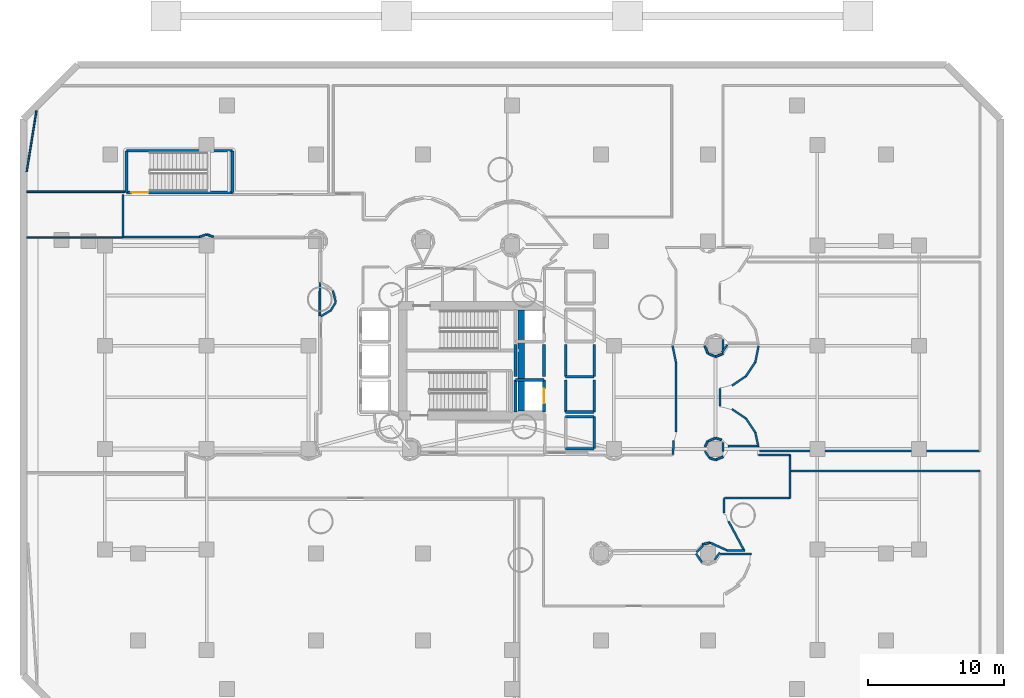
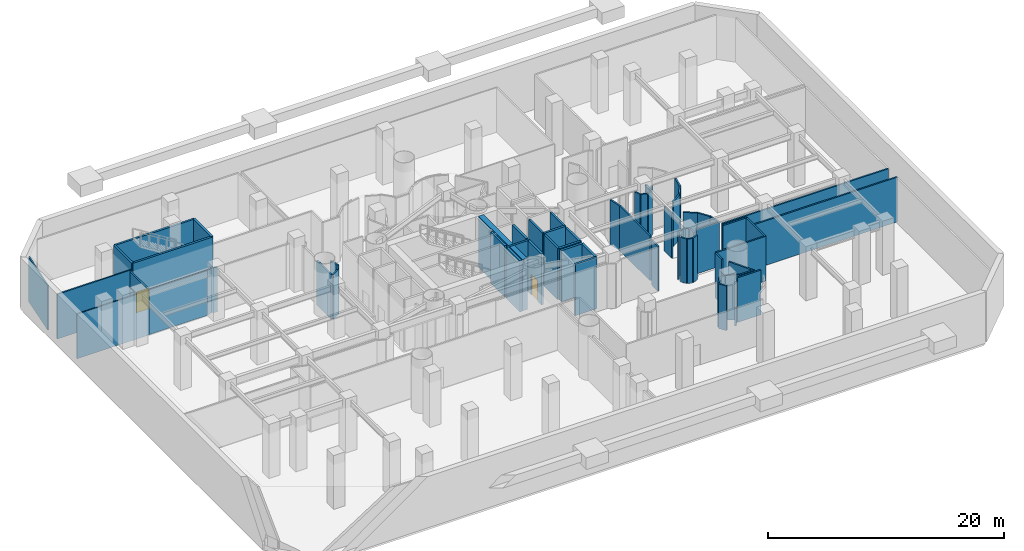
# One storey, part 4 of 11: 67 walls, 2 doors, 2 openings.
"""IFC4 building model written with IfcOpenShell, lengths in metres."""

from ifc_helpers import new_model, si_unit, direction, frame, frame_2d, origin, place, context, subcontext, project, spatial, rectangle, extrude, material, layer, layer_set, type_object, element, fill, save


model = new_model("IFC4")

# Units and contexts
model_context = context("Model", 3, precision=1e-05, world=origin(), true_north=direction((0.0, 1.0)))
body_context = subcontext(model_context, "Body", "Model", "MODEL_VIEW")
ifc_project = project(units=[si_unit("LENGTHUNIT", "METRE"), si_unit("AREAUNIT", "SQUARE_METRE"), si_unit("VOLUMEUNIT", "CUBIC_METRE"), si_unit("PLANEANGLEUNIT", "RADIAN"), si_unit("MASSUNIT", "GRAM", prefix="KILO")], contexts=[model_context])

# Site, building, storey
site_placement = place(None, origin())
site = spatial("IfcSite", under=ifc_project, at=site_placement, CompositionType="ELEMENT")
building_placement = place(site_placement, origin())
building = spatial("IfcBuilding", under=site, at=building_placement, Name="Qianvela Tower", CompositionType="ELEMENT")
storey_placement = place(building_placement, frame((0.0, 0.0, -5.60009765625)))
storey = spatial("IfcBuildingStorey", under=building, at=storey_placement, Name="B01", CompositionType="ELEMENT", Elevation=-5.60009765625)

# Walls
ifc_material_1 = material(Name="Concrete C60", Category="concrete")
ifc_layer_1 = layer(ifc_material_1, 0.64990234375)
ifc_layer_set_1 = layer_set([ifc_layer_1], Name="Concrete C60")
wall_type_1 = type_object("IfcWallType", Name="WT-CORE-650", PredefinedType="SHEAR", material=ifc_layer_set_1)
wall_1_placement = place(storey_placement, frame((38.179931640625, 24.97998046875, 0.0), z_axis=(0.0, 0.0, 1.0), x_axis=(0.0, 1.0, 0.0)))
element("IfcWall", 1, at=wall_1_placement, inside=storey, type_object=wall_type_1, Name="B01 East Spine Core Shear Wall", PredefinedType="SHEAR", context=body_context, shape_type="SweptSolid", body=[
    extrude(rectangle(XDim=7.43994140625, YDim=0.5, at=frame_2d((3.719970703125, 0.0))), origin(), (0.0, 0.0, 1.0), 5.300048828125),
])
ifc_material_2 = material(Name="Fire-Rated Acoustic Gypsum Board")
ifc_layer_2 = layer(ifc_material_2, 0.14990234375)
ifc_layer_set_2 = layer_set([ifc_layer_2], Name="Fire-Rated Acoustic Gypsum Board")
wall_type_2 = type_object("IfcWallType", Name="WT-CORR-150", PredefinedType="PARTITIONING", material=ifc_layer_set_2)
wall_2_placement = place(storey_placement, frame((8.8310546875, 37.800048828125, 0.0), z_axis=(0.0, 0.0, 1.0), x_axis=(0.0, 1.0, 0.0)))
element("IfcWall", 2, at=wall_2_placement, inside=storey, type_object=wall_type_2, Name="B01 Partition 36", PredefinedType="PARTITIONING", context=body_context, shape_type="SweptSolid", body=[
    extrude(rectangle(XDim=3.159912109375, YDim=0.14990234375, at=frame_2d((1.580078125, 0.0))), origin(), (0.0, 0.0, 1.0), 4.6201171875),
])
wall_3_placement = place(storey_placement, frame((49.372314453125, 21.779296875, 0.0), z_axis=(0.0, 0.0, 1.0), x_axis=(0.019397938969, 0.99981184228, 0.0)))
element("IfcWall", 3, at=wall_3_placement, inside=storey, type_object=wall_type_2, Name="B01 Partition 92", PredefinedType="PARTITIONING", context=body_context, shape_type="SweptSolid", body=[
    extrude(rectangle(XDim=1.044677734375, YDim=0.14990234375, at=frame_2d((0.5224609375, 0.0))), origin(), (0.0, 0.0, 1.0), 4.6201171875),
])
wall_4_placement = place(storey_placement, frame((49.5810546875, 23.4365234375, 0.0), z_axis=(0.0, 0.0, 1.0), x_axis=(0.0, 1.0, 0.0)))
element("IfcWall", 4, at=wall_4_placement, inside=storey, type_object=wall_type_2, Name="B01 Partition 93", PredefinedType="PARTITIONING", context=body_context, shape_type="SweptSolid", body=[
    extrude(rectangle(XDim=5.126953125, YDim=0.14990234375, at=frame_2d((2.5634765625, 0.0))), origin(), (0.0, 0.0, 1.0), 4.6201171875),
])
wall_5_placement = place(storey_placement, frame((49.580322265625, 28.569580078125, 0.0), z_axis=(0.0, 0.0, 1.0), x_axis=(-0.198162533944, 0.980169174245, 0.0)))
element("IfcWall", 5, at=wall_5_placement, inside=storey, type_object=wall_type_2, Name="B01 Partition 94", PredefinedType="PARTITIONING", context=body_context, shape_type="SweptSolid", body=[
    extrude(rectangle(XDim=1.261474609375, YDim=0.14990234375, at=frame_2d((0.630859375, 0.0))), origin(), (0.0, 0.0, 1.0), 4.6201171875),
])
wall_6_placement = place(storey_placement, frame((51.701416015625, 29.7880859375, 0.0), z_axis=(0.0, 0.0, 1.0), x_axis=(0.382790839847, -0.923835035561, 0.0)))
element("IfcWall", 6, at=wall_6_placement, inside=storey, type_object=wall_type_2, Name="B01 Partition 115", PredefinedType="PARTITIONING", context=body_context, shape_type="SweptSolid", body=[
    extrude(rectangle(XDim=0.58935546875, YDim=0.14990234375, at=frame_2d((0.294677734375, 0.0))), origin(), (0.0, 0.0, 1.0), 4.6201171875),
])
for number, where, z_axis, x_axis, name in (
    (7, (51.943603515625, 29.226806640625, 0.0), (0.0, 0.0, 1.0), (0.923981493772, -0.382437183296, 0.0), "B01 Partition 116"),
    (8, (52.511962890625, 29.00146484375, 0.0), (0.0, 0.0, 1.0), (0.923981493772, 0.382437183296, 0.0), "B01 Partition 117"),
):
    element("IfcWall", number, at=place(storey_placement, frame(where, z_axis=z_axis, x_axis=x_axis)), inside=storey, type_object=wall_type_2, Name=name, PredefinedType="PARTITIONING", context=body_context, shape_type="SweptSolid", body=[
        extrude(rectangle(XDim=0.589111328125, YDim=0.14990234375, at=frame_2d((0.29443359375, 0.0))), origin(), (0.0, 0.0, 1.0), 4.6201171875),
    ])
wall_7_placement = place(storey_placement, frame((55.6689453125, 29.79931640625, 0.0), z_axis=(0.0, 0.0, 1.0), x_axis=(-0.195624591427, -0.980678856318, 0.0)))
element("IfcWall", 9, at=wall_7_placement, inside=storey, type_object=wall_type_2, Name="B01 Partition 119", PredefinedType="PARTITIONING", context=body_context, shape_type="SweptSolid", body=[
    extrude(rectangle(XDim=1.24169921875, YDim=0.14990234375, at=frame_2d((0.620849609375, 0.0))), origin(), (0.0, 0.0, 1.0), 4.6201171875),
])
for number, where, z_axis, x_axis, name in (
    (10, (55.4306640625, 28.592529296875, 0.0), (0.0, 0.0, 1.0), (-0.555557312883, -0.831478245117, 0.0), "B01 Partition 120"),
    (11, (54.74560546875, 27.56298828125, 0.0), (0.0, 0.0, 1.0), (-0.831478245117, -0.555557312883, 0.0), "B01 Partition 121"),
):
    element("IfcWall", number, at=place(storey_placement, frame(where, z_axis=z_axis, x_axis=x_axis)), inside=storey, type_object=wall_type_2, Name=name, PredefinedType="PARTITIONING", context=body_context, shape_type="SweptSolid", body=[
        extrude(rectangle(XDim=1.24853515625, YDim=0.14990234375, at=frame_2d((0.624267578125, 0.0))), origin(), (0.0, 0.0, 1.0), 4.6201171875),
    ])
wall_8_placement = place(storey_placement, frame((52.819091796875, 26.634521484375, 0.0), z_axis=(0.0, 0.0, 1.0), x_axis=(0.0, -1.0, 0.0)))
element("IfcWall", 12, at=wall_8_placement, inside=storey, type_object=wall_type_2, Name="B01 Partition 123", PredefinedType="PARTITIONING", context=body_context, shape_type="SweptSolid", body=[
    extrude(rectangle(XDim=1.26904296875, YDim=0.14990234375, at=frame_2d((0.634521484375, 0.0))), origin(), (0.0, 0.0, 1.0), 4.6201171875),
])
for number, where, z_axis, x_axis, name in (
    (13, (53.70751953125, 25.130615234375, 0.0), (0.0, 0.0, 1.0), (0.831478245117, -0.555557312883, 0.0), "B01 Partition 125"),
    (14, (54.737060546875, 24.445556640625, 0.0), (0.0, 0.0, 1.0), (0.555557312883, -0.831478245117, 0.0), "B01 Partition 126"),
):
    element("IfcWall", number, at=place(storey_placement, frame(where, z_axis=z_axis, x_axis=x_axis)), inside=storey, type_object=wall_type_2, Name=name, PredefinedType="PARTITIONING", context=body_context, shape_type="SweptSolid", body=[
        extrude(rectangle(XDim=1.24853515625, YDim=0.14990234375, at=frame_2d((0.624267578125, 0.0))), origin(), (0.0, 0.0, 1.0), 4.6201171875),
    ])
wall_9_placement = place(storey_placement, frame((55.426025390625, 23.418212890625, 0.0), z_axis=(0.0, 0.0, 1.0), x_axis=(0.210582766426, -0.977576032073, 0.0)))
element("IfcWall", 15, at=wall_9_placement, inside=storey, type_object=wall_type_2, Name="B01 Partition 127", PredefinedType="PARTITIONING", context=body_context, shape_type="SweptSolid", body=[
    extrude(rectangle(XDim=1.075927734375, YDim=0.14990234375, at=frame_2d((0.5380859375, 0.0))), origin(), (0.0, 0.0, 1.0), 4.6201171875),
])
wall_10_placement = place(storey_placement, frame((55.682861328125, 22.404052734375, 0.0), z_axis=(0.0, 0.0, 1.0), x_axis=(-0.999996973182, -0.002460411894, 0.0)))
element("IfcWall", 16, at=wall_10_placement, inside=storey, type_object=wall_type_2, Name="B01 Partition 128", PredefinedType="PARTITIONING", context=body_context, shape_type="SweptSolid", body=[
    extrude(rectangle(XDim=2.2822265625, YDim=0.14990234375, at=frame_2d((1.14111328125, 0.0))), origin(), (0.0, 0.0, 1.0), 4.6201171875),
])
wall_11_placement = place(storey_placement, frame((52.936767578125, 22.869873046875, 0.0), z_axis=(0.0, 0.0, 1.0), x_axis=(-0.956858887343, 0.290553041134, 0.0)))
element("IfcWall", 17, at=wall_11_placement, inside=storey, type_object=wall_type_2, Name="B01 Partition 129", PredefinedType="PARTITIONING", context=body_context, shape_type="SweptSolid", body=[
    extrude(rectangle(XDim=0.447021484375, YDim=0.14990234375, at=frame_2d((0.2236328125, 0.0))), origin(), (0.0, 0.0, 1.0), 4.6201171875),
])
wall_12_placement = place(storey_placement, frame((52.488037109375, 22.99853515625, 0.0), z_axis=(0.0, 0.0, 1.0), x_axis=(-0.923981493772, -0.382437183296, 0.0)))
element("IfcWall", 18, at=wall_12_placement, inside=storey, type_object=wall_type_2, Name="B01 Partition 130", PredefinedType="PARTITIONING", context=body_context, shape_type="SweptSolid", body=[
    extrude(rectangle(XDim=0.589111328125, YDim=0.14990234375, at=frame_2d((0.29443359375, 0.0))), origin(), (0.0, 0.0, 1.0), 4.6201171875),
])
wall_13_placement = place(storey_placement, frame((51.92822265625, 22.759033203125, 0.0), z_axis=(0.0, 0.0, 1.0), x_axis=(-0.471296709458, -0.881974722798, 0.0)))
element("IfcWall", 19, at=wall_13_placement, inside=storey, type_object=wall_type_2, Name="B01 Partition 131", PredefinedType="PARTITIONING", context=body_context, shape_type="SweptSolid", body=[
    extrude(rectangle(XDim=0.447021484375, YDim=0.14990234375, at=frame_2d((0.2236328125, 0.0))), origin(), (0.0, 0.0, 1.0), 4.6201171875),
])
wall_14_placement = place(storey_placement, frame((51.718994140625, 22.03271484375, 0.0), z_axis=(0.0, 0.0, 1.0), x_axis=(0.555369021078, -0.831604022613, 0.0)))
element("IfcWall", 20, at=wall_14_placement, inside=storey, type_object=wall_type_2, Name="B01 Partition 132", PredefinedType="PARTITIONING", context=body_context, shape_type="SweptSolid", body=[
    extrude(rectangle(XDim=0.589599609375, YDim=0.14990234375, at=frame_2d((0.294921875, 0.0))), origin(), (0.0, 0.0, 1.0), 4.6201171875),
])
wall_15_placement = place(storey_placement, frame((52.063232421875, 21.530029296875, 0.0), z_axis=(0.0, 0.0, 1.0), x_axis=(0.957010621041, -0.290052876583, 0.0)))
element("IfcWall", 21, at=wall_15_placement, inside=storey, type_object=wall_type_2, Name="B01 Partition 133", PredefinedType="PARTITIONING", context=body_context, shape_type="SweptSolid", body=[
    extrude(rectangle(XDim=0.447021484375, YDim=0.14990234375, at=frame_2d((0.2236328125, 0.0))), origin(), (0.0, 0.0, 1.0), 4.6201171875),
])
wall_16_placement = place(storey_placement, frame((52.511962890625, 21.4013671875, 0.0), z_axis=(0.0, 0.0, 1.0), x_axis=(0.923835035561, 0.382790839847, 0.0)))
element("IfcWall", 22, at=wall_16_placement, inside=storey, type_object=wall_type_2, Name="B01 Partition 134", PredefinedType="PARTITIONING", context=body_context, shape_type="SweptSolid", body=[
    extrude(rectangle(XDim=0.58935546875, YDim=0.14990234375, at=frame_2d((0.294677734375, 0.0))), origin(), (0.0, 0.0, 1.0), 4.6201171875),
])
wall_17_placement = place(storey_placement, frame((55.65869140625, 21.7490234375, 0.0), z_axis=(0.0, 0.0, 1.0), x_axis=(1.0, 0.0, 0.0)))
element("IfcWall", 23, at=wall_17_placement, inside=storey, type_object=wall_type_2, Name="B01 Partition 136", PredefinedType="PARTITIONING", context=body_context, shape_type="SweptSolid", body=[
    extrude(rectangle(XDim=2.34130859375, YDim=0.14990234375, at=frame_2d((1.170654296875, 0.0))), origin(), (0.0, 0.0, 1.0), 4.6201171875),
])
wall_18_placement = place(storey_placement, frame((57.968994140625, 21.780029296875, 0.0), z_axis=(0.0, 0.0, 1.0), x_axis=(0.0, -1.0, 0.0)))
element("IfcWall", 24, at=wall_18_placement, inside=storey, type_object=wall_type_2, Name="B01 Partition 137", PredefinedType="PARTITIONING", context=body_context, shape_type="SweptSolid", body=[
    extrude(rectangle(XDim=3.22998046875, YDim=0.14990234375, at=frame_2d((1.614990234375, 0.0))), origin(), (0.0, 0.0, 1.0), 4.6201171875),
])
wall_19_placement = place(storey_placement, frame((58.0, 18.5810546875, 0.0), z_axis=(0.0, 0.0, 1.0), x_axis=(-1.0, 0.0, 0.0)))
element("IfcWall", 25, at=wall_19_placement, inside=storey, type_object=wall_type_2, Name="B01 Partition 138", PredefinedType="PARTITIONING", context=body_context, shape_type="SweptSolid", body=[
    extrude(rectangle(XDim=4.85009765625, YDim=0.14990234375, at=frame_2d((2.425048828125, 0.0))), origin(), (0.0, 0.0, 1.0), 4.6201171875),
])
wall_20_placement = place(storey_placement, frame((53.118896484375, 18.550048828125, 0.0), z_axis=(0.0, 0.0, 1.0), x_axis=(0.0, -1.0, 0.0)))
element("IfcWall", 26, at=wall_20_placement, inside=storey, type_object=wall_type_2, Name="B01 Partition 139", PredefinedType="PARTITIONING", context=body_context, shape_type="SweptSolid", body=[
    extrude(rectangle(XDim=1.08447265625, YDim=0.14990234375, at=frame_2d((0.542236328125, 0.0))), origin(), (0.0, 0.0, 1.0), 4.6201171875),
])
wall_21_placement = place(storey_placement, frame((53.449951171875, 16.873779296875, 0.0), z_axis=(0.0, 0.0, 1.0), x_axis=(0.471411414428, -0.881913418849, 0.0)))
element("IfcWall", 27, at=wall_21_placement, inside=storey, type_object=wall_type_2, Name="B01 Partition 140", PredefinedType="PARTITIONING", context=body_context, shape_type="SweptSolid", body=[
    extrude(rectangle(XDim=2.4931640625, YDim=0.14990234375, at=frame_2d((1.24658203125, 0.0))), origin(), (0.0, 0.0, 1.0), 4.6201171875),
])
wall_22_placement = place(storey_placement, frame((54.65234375, 14.720703125, 0.0), z_axis=(0.0, 0.0, 1.0), x_axis=(-0.999996515178, -0.002640005886, 0.0)))
element("IfcWall", 28, at=wall_22_placement, inside=storey, type_object=wall_type_2, Name="B01 Partition 141", PredefinedType="PARTITIONING", context=body_context, shape_type="SweptSolid", body=[
    extrude(rectangle(XDim=1.294677734375, YDim=0.14990234375, at=frame_2d((0.6474609375, 0.0))), origin(), (0.0, 0.0, 1.0), 4.6201171875),
])
wall_23_placement = place(storey_placement, frame((53.37060546875, 14.714599609375, 0.0), z_axis=(0.0, 0.0, 1.0), x_axis=(-0.910457642889, 0.413602321687, 0.0)))
element("IfcWall", 29, at=wall_23_placement, inside=storey, type_object=wall_type_2, Name="B01 Partition 142", PredefinedType="PARTITIONING", context=body_context, shape_type="SweptSolid", body=[
    extrude(rectangle(XDim=1.375244140625, YDim=0.14990234375, at=frame_2d((0.6875, 0.0))), origin(), (0.0, 0.0, 1.0), 4.6201171875),
])
wall_24_placement = place(storey_placement, frame((52.099609375, 15.28564453125, 0.0), z_axis=(0.0, 0.0, 1.0), x_axis=(-0.980787220882, -0.195080566316, 0.0)))
element("IfcWall", 30, at=wall_24_placement, inside=storey, type_object=wall_type_2, Name="B01 Partition 143", PredefinedType="PARTITIONING", context=body_context, shape_type="SweptSolid", body=[
    extrude(rectangle(XDim=0.58935546875, YDim=0.14990234375, at=frame_2d((0.294677734375, 0.0))), origin(), (0.0, 0.0, 1.0), 4.6201171875),
])
wall_25_placement = place(storey_placement, frame((51.060546875, 14.483154296875, 0.0), z_axis=(0.0, 0.0, 1.0), x_axis=(0.567447045637, -0.823409892094, 0.0)))
element("IfcWall", 31, at=wall_25_placement, inside=storey, type_object=wall_type_2, Name="B01 Partition 153", PredefinedType="PARTITIONING", context=body_context, shape_type="SweptSolid", body=[
    extrude(rectangle(XDim=0.7783203125, YDim=0.14990234375, at=frame_2d((0.38916015625, 0.0))), origin(), (0.0, 0.0, 1.0), 4.6201171875),
])
wall_26_placement = place(storey_placement, frame((52.855224609375, 14.456298828125, 0.0), z_axis=(0.0, 0.0, 1.0), x_axis=(0.999996753759, 0.002548032922, 0.0)))
element("IfcWall", 32, at=wall_26_placement, inside=storey, type_object=wall_type_2, Name="B01 Partition 156 seg 1", PredefinedType="PARTITIONING", context=body_context, shape_type="SweptSolid", body=[
    extrude(rectangle(XDim=2.299560546875, YDim=0.14990234375, at=frame_2d((1.14990234375, 0.0))), origin(), (0.0, 0.0, 1.0), 4.6201171875),
])
wall_27_placement = place(storey_placement, frame((23.416015625, 31.970703125, 0.0), z_axis=(0.0, 0.0, 1.0), x_axis=(0.857113289669, 0.51512795369, 0.0)))
element("IfcWall", 33, at=wall_27_placement, inside=storey, type_object=wall_type_2, Name="B01 Partition 173", PredefinedType="PARTITIONING", context=body_context, shape_type="SweptSolid", body=[
    extrude(rectangle(XDim=0.8515625, YDim=0.14990234375, at=frame_2d((0.42578125, 0.0))), origin(), (0.0, 0.0, 1.0), 4.6201171875),
])
wall_28_placement = place(storey_placement, frame((24.15625, 32.419677734375, 0.0), z_axis=(0.0, 0.0, 1.0), x_axis=(0.527189094598, 0.849747997077, 0.0)))
element("IfcWall", 34, at=wall_28_placement, inside=storey, type_object=wall_type_2, Name="B01 Partition 174", PredefinedType="PARTITIONING", context=body_context, shape_type="SweptSolid", body=[
    extrude(rectangle(XDim=0.66455078125, YDim=0.14990234375, at=frame_2d((0.332275390625, 0.0))), origin(), (0.0, 0.0, 1.0), 4.6201171875),
])
wall_29_placement = place(storey_placement, frame((24.510498046875, 33.00830078125, 0.0), z_axis=(0.0, 0.0, 1.0), x_axis=(-0.241288371534, 0.970453461925, 0.0)))
element("IfcWall", 35, at=wall_29_placement, inside=storey, type_object=wall_type_2, Name="B01 Partition 175", PredefinedType="PARTITIONING", context=body_context, shape_type="SweptSolid", body=[
    extrude(rectangle(XDim=0.875244140625, YDim=0.14990234375, at=frame_2d((0.4375, 0.0))), origin(), (0.0, 0.0, 1.0), 4.6201171875),
])
for number, where, z_axis, x_axis, name in (
    (36, (15.512939453125, 37.829345703125, 0.0), (0.0, 0.0, 1.0), (-0.947248188963, 0.320500964906, 0.0), "B01 Partition 183"),
    (37, (14.989990234375, 37.99951171875, 0.0), (0.0, 0.0, 1.0), (-0.947248188963, -0.320500964906, 0.0), "B01 Partition 184"),
):
    element("IfcWall", number, at=place(storey_placement, frame(where, z_axis=z_axis, x_axis=x_axis)), inside=storey, type_object=wall_type_2, Name=name, PredefinedType="PARTITIONING", context=body_context, shape_type="SweptSolid", body=[
        extrude(rectangle(XDim=0.531005859375, YDim=0.14990234375, at=frame_2d((0.265625, 0.0))), origin(), (0.0, 0.0, 1.0), 4.6201171875),
    ])
wall_30_placement = place(storey_placement, frame((14.496826171875, 37.8310546875, 0.0), z_axis=(0.0, 0.0, 1.0), x_axis=(-1.0, 0.0, 0.0)))
element("IfcWall", 38, at=wall_30_placement, inside=storey, type_object=wall_type_2, Name="B01 Partition 185", PredefinedType="PARTITIONING", context=body_context, shape_type="SweptSolid", body=[
    extrude(rectangle(XDim=5.69677734375, YDim=0.14990234375, at=frame_2d((2.848388671875, 0.0))), origin(), (0.0, 0.0, 1.0), 4.6201171875),
])
wall_31_placement = place(storey_placement, frame((72.0, 22.031005859375, 0.0), z_axis=(0.0, 0.0, 1.0), x_axis=(-1.0, 0.0, 0.0)))
element("IfcWall", 39, at=wall_31_placement, inside=storey, type_object=wall_type_2, Name="B01 Partition 207", PredefinedType="PARTITIONING", context=body_context, shape_type="SweptSolid", body=[
    extrude(rectangle(XDim=16.25732421875, YDim=0.14990234375, at=frame_2d((8.128662109375, 0.0))), origin(), (0.0, 0.0, 1.0), 4.6201171875),
])
wall_32_placement = place(storey_placement, frame((53.031005859375, 22.0, 0.0), z_axis=(0.0, 0.0, 1.0), x_axis=(0.0, 1.0, 0.0)))
element("IfcWall", 40, at=wall_32_placement, inside=storey, type_object=wall_type_2, Name="B01 Partition 209", PredefinedType="PARTITIONING", context=body_context, shape_type="SweptSolid", body=[
    extrude(rectangle(XDim=0.680419921875, YDim=0.14990234375, at=frame_2d((0.34033203125, 0.0))), origin(), (0.0, 0.0, 1.0), 4.6201171875),
])
wall_33_placement = place(storey_placement, frame((53.3623046875, 29.8662109375, 0.0), z_axis=(0.0, 0.0, 1.0), x_axis=(-0.577825504344, -0.816160331387, 0.0)))
element("IfcWall", 41, at=wall_33_placement, inside=storey, type_object=wall_type_2, Name="B01 Partition 219", PredefinedType="PARTITIONING", context=body_context, shape_type="SweptSolid", body=[
    extrude(rectangle(XDim=0.6708984375, YDim=0.14990234375, at=frame_2d((0.33544921875, 0.0))), origin(), (0.0, 0.0, 1.0), 4.6201171875),
])
wall_34_placement = place(storey_placement, frame((53.031005859375, 29.300537109375, 0.0), z_axis=(0.0, 0.0, 1.0), x_axis=(0.0, 1.0, 0.0)))
element("IfcWall", 42, at=wall_34_placement, inside=storey, type_object=wall_type_2, Name="B01 Partition 220", PredefinedType="PARTITIONING", context=body_context, shape_type="SweptSolid", body=[
    extrude(rectangle(XDim=0.979736328125, YDim=0.14990234375, at=frame_2d((0.48974609375, 0.0))), origin(), (0.0, 0.0, 1.0), 4.6201171875),
])
wall_35_placement = place(storey_placement, frame((52.817626953125, 14.566162109375, 0.0), z_axis=(0.0, 0.0, 1.0), x_axis=(-0.57748245619, -0.816403094551, 0.0)))
element("IfcWall", 43, at=wall_35_placement, inside=storey, type_object=wall_type_2, Name="B01 Partition 244", PredefinedType="PARTITIONING", context=body_context, shape_type="SweptSolid", body=[
    extrude(rectangle(XDim=0.67138671875, YDim=0.14990234375, at=frame_2d((0.335693359375, 0.0))), origin(), (0.0, 0.0, 1.0), 4.6201171875),
])
wall_36_placement = place(storey_placement, frame((51.089599609375, 14.59619140625, 0.0), z_axis=(0.0, 0.0, 1.0), x_axis=(0.725491218806, 0.688231422877, 0.0)))
element("IfcWall", 44, at=wall_36_placement, inside=storey, type_object=wall_type_2, Name="B01 Partition 257", PredefinedType="PARTITIONING", context=body_context, shape_type="SweptSolid", body=[
    extrude(rectangle(XDim=0.681396484375, YDim=0.14990234375, at=frame_2d((0.3408203125, 0.0))), origin(), (0.0, 0.0, 1.0), 4.6201171875),
])
wall_37_placement = place(storey_placement, frame((58.06201171875, 20.569091796875, 0.0), z_axis=(0.0, 0.0, 1.0), x_axis=(1.0, 0.0, 0.0)))
element("IfcWall", 45, at=wall_37_placement, inside=storey, type_object=wall_type_2, Name="B01 Partition 264", PredefinedType="PARTITIONING", context=body_context, shape_type="SweptSolid", body=[
    extrude(rectangle(XDim=13.93798828125, YDim=0.14990234375, at=frame_2d((6.968994140625, 0.0))), origin(), (0.0, 0.0, 1.0), 4.6201171875),
])
ifc_material_3 = material(Name="Lightweight Gypsum Room Partition")
ifc_layer_3 = layer(ifc_material_3, 0.10498046875)
ifc_layer_set_3 = layer_set([ifc_layer_3], Name="Lightweight Gypsum Room Partition")
wall_type_3 = type_object("IfcWallType", Name="WT-PART-105", PredefinedType="PARTITIONING", material=ifc_layer_set_3)
wall_38_placement = place(storey_placement, frame((1.738037109375, 37.76904296875, 0.0), z_axis=(0.0, 0.0, 1.0), x_axis=(1.0, 0.0, 0.0)))
element("IfcWall", 46, at=wall_38_placement, inside=storey, type_object=wall_type_3, Name="B01 Partition 206 seg 1", PredefinedType="PARTITIONING", context=body_context, shape_type="SweptSolid", body=[
    extrude(rectangle(XDim=7.06201171875, YDim=0.10498046875, at=frame_2d((3.531005859375, 0.0))), origin(), (0.0, 0.0, 1.0), 4.6201171875),
])
ifc_material_4 = material(Name="Insulated Gypsum Stud Partition")
ifc_layer_4 = layer(ifc_material_4, 0.1201171875)
ifc_layer_set_4 = layer_set([ifc_layer_4], Name="Insulated Gypsum Stud Partition")
wall_type_4 = type_object("IfcWallType", Name="WT-PART-120", PredefinedType="PARTITIONING", material=ifc_layer_set_4)
wall_39_placement = place(storey_placement, frame((1.739990234375, 42.616943359375, 0.0), z_axis=(0.0, 0.0, 1.0), x_axis=(0.158292817812, 0.987392213778, 0.0)))
element("IfcWall", 47, at=wall_39_placement, inside=storey, type_object=wall_type_4, Name="B01 Partition 190 seg 1", PredefinedType="PARTITIONING", context=body_context, shape_type="SweptSolid", body=[
    extrude(rectangle(XDim=4.56689453125, YDim=0.1201171875, at=frame_2d((2.283447265625, 0.0))), origin(), (0.0, 0.0, 1.0), 4.6201171875),
])
ifc_material_5 = material(Name="Acoustic Double Gypsum Stud Partition")
ifc_layer_5 = layer(ifc_material_5, 0.139892578125)
ifc_layer_set_5 = layer_set([ifc_layer_5], Name="Acoustic Double Gypsum Stud Partition")
wall_type_5 = type_object("IfcWallType", Name="WT-ROOM-140", PredefinedType="PARTITIONING", material=ifc_layer_set_5)
wall_40_placement = place(storey_placement, frame((8.9599609375, 41.15087890625, 0.0), z_axis=(0.0, 0.0, 1.0), x_axis=(-1.0, 0.0, 0.0)))
element("IfcWall", 48, at=wall_40_placement, inside=storey, type_object=wall_type_5, Name="B01 Partition 189", PredefinedType="PARTITIONING", context=body_context, shape_type="SweptSolid", body=[
    extrude(rectangle(XDim=7.221923828125, YDim=0.139892578125, at=frame_2d((3.61083984375, 0.0))), origin(), (0.0, 0.0, 1.0), 4.6201171875),
])
wall_41_placement = place(storey_placement, frame((23.352783203125, 34.458740234375, 0.0), z_axis=(0.0, 0.0, 1.0), x_axis=(-0.00476090617, -0.999988666822, 0.0)))
element("IfcWall", 49, at=wall_41_placement, inside=storey, type_object=wall_type_5, Name="B01 Partition 195 seg 2", PredefinedType="PARTITIONING", context=body_context, shape_type="SweptSolid", body=[
    extrude(rectangle(XDim=2.46142578125, YDim=0.139892578125, at=frame_2d((1.230712890625, 0.0))), origin(), (0.0, 0.0, 1.0), 4.6201171875),
])

# Wall, opening, door
ifc_material_6 = material(Name="Concrete C50", Category="concrete")
ifc_layer_6 = layer(ifc_material_6, 0.199951171875)
ifc_layer_set_6 = layer_set([ifc_layer_6], Name="Concrete C50")
wall_type_6 = type_object("IfcWallType", Name="WT-SHAFT-200", PredefinedType="SOLIDWALL", material=ifc_layer_set_6)
wall_42_placement = place(storey_placement, frame((9.10009765625, 41.10009765625, 0.0), z_axis=(0.0, 0.0, 1.0), x_axis=(1.0, 0.0, 0.0)))
wall_42 = element("IfcWall", 50, at=wall_42_placement, inside=storey, type_object=wall_type_6, Name="B01 Stair ST-3 South Wall", PredefinedType="SOLIDWALL", context=body_context, shape_type="SweptSolid", body=[
    extrude(rectangle(XDim=7.7998046875, YDim=0.199951171875, at=frame_2d((3.89990234375, 0.0))), origin(), (0.0, 0.0, 1.0), 5.300048828125),
])
opening_1_placement = place(wall_42_placement, frame((0.360107421875, 0.0, 0.0)))
opening_1 = element("IfcOpeningElement", 51, at=opening_1_placement, cuts=wall_42, Name="Opening D-ST1", PredefinedType="OPENING", context=body_context, shape_type="SweptSolid", body=[
    extrude(rectangle(XDim=1.25, YDim=2.14990234375, at=frame_2d((0.625, 1.074951171875))), frame((0.0, 0.10986328125, 0.0), z_axis=(0.0, -1.0, 0.0), x_axis=(1.0, 0.0, 0.0)), (0.0, 0.0, 1.0), 0.219970703125),
])
ifc_material_7 = material(Name="Galvanised Fire Steel Q355B", Category="steel")
door_type_1 = type_object("IfcDoorType", Name="DT-STAIR-FD90", OperationType="NOTDEFINED", PredefinedType="DOOR", material=ifc_material_7)
door_1_placement = place(opening_1_placement, origin())
door_1 = element("IfcDoor", 52, at=door_1_placement, inside=storey, type_object=door_type_1, Name="B01 Stair ST-3 Exit Door", OperationType="SINGLE_SWING_RIGHT", OverallHeight=2.14990234375, OverallWidth=1.25, PredefinedType="DOOR", context=body_context, shape_type="SweptSolid", body=[
    extrude(rectangle(XDim=1.25, YDim=2.14990234375, at=frame_2d((0.625, 1.074951171875))), frame((0.0, 0.02490234375, 0.0), z_axis=(0.0, -1.0, 0.0), x_axis=(1.0, 0.0, 0.0)), (0.0, 0.0, 1.0), 0.050048828125),
])
fill(opening_1, door_1)

# Walls
wall_43_placement = place(storey_placement, frame((9.10009765625, 44.159912109375, 0.0), z_axis=(0.0, 0.0, 1.0), x_axis=(1.0, 0.0, 0.0)))
element("IfcWall", 53, at=wall_43_placement, inside=storey, type_object=wall_type_6, Name="B01 Stair ST-3 North Wall", PredefinedType="SOLIDWALL", context=body_context, shape_type="SweptSolid", body=[
    extrude(rectangle(XDim=7.7998046875, YDim=0.199951171875, at=frame_2d((3.89990234375, 0.0))), origin(), (0.0, 0.0, 1.0), 5.300048828125),
])
for number, where, z_axis, x_axis, name in (
    (54, (9.10009765625, 41.10009765625, 0.0), (0.0, 0.0, 1.0), (0.0, 1.0, 0.0), "B01 Stair ST-3 West Wall"),
    (55, (16.89990234375, 41.10009765625, 0.0), (0.0, 0.0, 1.0), (0.0, 1.0, 0.0), "B01 Stair ST-3 East Wall"),
):
    element("IfcWall", number, at=place(storey_placement, frame(where, z_axis=z_axis, x_axis=x_axis)), inside=storey, type_object=wall_type_6, Name=name, PredefinedType="SOLIDWALL", context=body_context, shape_type="SweptSolid", body=[
        extrude(rectangle(XDim=3.059814453125, YDim=0.199951171875, at=frame_2d((1.52978515625, 0.0))), origin(), (0.0, 0.0, 1.0), 5.300048828125),
    ])

# Wall, opening, door
wall_44_placement = place(storey_placement, frame((39.85009765625, 24.919921875, 0.0), z_axis=(0.0, 0.0, 1.0), x_axis=(0.0, 1.0, 0.0)))
wall_44 = element("IfcWall", 56, at=wall_44_placement, inside=storey, type_object=wall_type_6, Name="B01 Lift FL-2 E Shaft Wall", PredefinedType="SOLIDWALL", context=body_context, shape_type="SweptSolid", body=[
    extrude(rectangle(XDim=2.360107421875, YDim=0.199951171875, at=frame_2d((1.18017578125, 0.0))), origin(), (0.0, 0.0, 1.0), 5.300048828125),
])
opening_2_placement = place(wall_44_placement, frame((0.6298828125, 0.0, 0.0)))
opening_2 = element("IfcOpeningElement", 57, at=opening_2_placement, cuts=wall_44, Name="Opening LD-01", PredefinedType="OPENING", context=body_context, shape_type="SweptSolid", body=[
    extrude(rectangle(XDim=1.10009765625, YDim=2.14990234375, at=frame_2d((0.550048828125, 1.074951171875))), frame((0.0, 0.10986328125, 0.0), z_axis=(0.0, -1.0, 0.0), x_axis=(1.0, 0.0, 0.0)), (0.0, 0.0, 1.0), 0.219970703125),
])
ifc_material_8 = material(Name="Brushed Stainless Steel Lift Landing Door", Category="steel")
door_type_2 = type_object("IfcDoorType", Name="DT-LIFT-SLIDE-1100", OperationType="SLIDING_TO_LEFT", PredefinedType="DOOR", material=ifc_material_8)
door_2_placement = place(opening_2_placement, origin())
door_2 = element("IfcDoor", 58, at=door_2_placement, inside=storey, type_object=door_type_2, Name="B01 Lift FL-2 Sliding Landing Door", OperationType="SLIDING_TO_LEFT", OverallHeight=2.14990234375, OverallWidth=1.10009765625, PredefinedType="DOOR", context=body_context, shape_type="SweptSolid", body=[
    extrude(rectangle(XDim=1.10009765625, YDim=2.14990234375, at=frame_2d((0.550048828125, 1.074951171875))), frame((0.0, 0.02490234375, 0.0), z_axis=(0.0, -1.0, 0.0), x_axis=(1.0, 0.0, 0.0)), (0.0, 0.0, 1.0), 0.050048828125),
])
fill(opening_2, door_2)

# Walls
wall_45_placement = place(storey_placement, frame((37.75, 24.919921875, 0.0), z_axis=(0.0, 0.0, 1.0), x_axis=(0.0, 1.0, 0.0)))
element("IfcWall", 59, at=wall_45_placement, inside=storey, type_object=wall_type_6, Name="B01 Lift FL-2 W Shaft Wall", PredefinedType="SOLIDWALL", context=body_context, shape_type="SweptSolid", body=[
    extrude(rectangle(XDim=2.360107421875, YDim=0.199951171875, at=frame_2d((1.18017578125, 0.0))), origin(), (0.0, 0.0, 1.0), 5.300048828125),
])
wall_46_placement = place(storey_placement, frame((37.75, 27.280029296875, 0.0), z_axis=(0.0, 0.0, 1.0), x_axis=(1.0, 0.0, 0.0)))
element("IfcWall", 60, at=wall_46_placement, inside=storey, type_object=wall_type_6, Name="B01 Lift FL-2 N Shaft Wall", PredefinedType="SOLIDWALL", context=body_context, shape_type="SweptSolid", body=[
    extrude(rectangle(XDim=2.10009765625, YDim=0.199951171875, at=frame_2d((1.050048828125, 0.0))), origin(), (0.0, 0.0, 1.0), 5.300048828125),
])
for number, where, z_axis, x_axis, name in (
    (61, (43.550048828125, 27.52001953125, 0.0), (0.0, 0.0, 1.0), (0.0, 1.0, 0.0), "B01 Lift PL-M2 E Shaft Wall"),
    (62, (41.449951171875, 27.52001953125, 0.0), (0.0, 0.0, 1.0), (0.0, 1.0, 0.0), "B01 Lift PL-M2 W Shaft Wall"),
):
    element("IfcWall", number, at=place(storey_placement, frame(where, z_axis=z_axis, x_axis=x_axis)), inside=storey, type_object=wall_type_6, Name=name, PredefinedType="SOLIDWALL", context=body_context, shape_type="SweptSolid", body=[
        extrude(rectangle(XDim=2.35986328125, YDim=0.199951171875, at=frame_2d((1.179931640625, 0.0))), origin(), (0.0, 0.0, 1.0), 5.300048828125),
    ])
wall_47_placement = place(storey_placement, frame((41.449951171875, 27.52001953125, 0.0), z_axis=(0.0, 0.0, 1.0), x_axis=(1.0, 0.0, 0.0)))
element("IfcWall", 63, at=wall_47_placement, inside=storey, type_object=wall_type_6, Name="B01 Lift PL-M2 S Shaft Wall", PredefinedType="SOLIDWALL", context=body_context, shape_type="SweptSolid", body=[
    extrude(rectangle(XDim=2.10009765625, YDim=0.199951171875, at=frame_2d((1.050048828125, 0.0))), origin(), (0.0, 0.0, 1.0), 5.300048828125),
])
for number, where, z_axis, x_axis, name in (
    (64, (43.550048828125, 24.919921875, 0.0), (0.0, 0.0, 1.0), (0.0, 1.0, 0.0), "B01 Lift PL-M3 E Shaft Wall"),
    (65, (41.449951171875, 24.919921875, 0.0), (0.0, 0.0, 1.0), (0.0, 1.0, 0.0), "B01 Lift PL-M3 W Shaft Wall"),
):
    element("IfcWall", number, at=place(storey_placement, frame(where, z_axis=z_axis, x_axis=x_axis)), inside=storey, type_object=wall_type_6, Name=name, PredefinedType="SOLIDWALL", context=body_context, shape_type="SweptSolid", body=[
        extrude(rectangle(XDim=2.360107421875, YDim=0.199951171875, at=frame_2d((1.18017578125, 0.0))), origin(), (0.0, 0.0, 1.0), 5.300048828125),
    ])
wall_48_placement = place(storey_placement, frame((41.449951171875, 24.919921875, 0.0), z_axis=(0.0, 0.0, 1.0), x_axis=(1.0, 0.0, 0.0)))
element("IfcWall", 66, at=wall_48_placement, inside=storey, type_object=wall_type_6, Name="B01 Lift PL-M3 S Shaft Wall", PredefinedType="SOLIDWALL", context=body_context, shape_type="SweptSolid", body=[
    extrude(rectangle(XDim=2.10009765625, YDim=0.199951171875, at=frame_2d((1.050048828125, 0.0))), origin(), (0.0, 0.0, 1.0), 5.300048828125),
])
for number, where, z_axis, x_axis, name in (
    (67, (39.85009765625, 27.52001953125, 0.0), (0.0, 0.0, 1.0), (0.0, 1.0, 0.0), "B01 Lift PL-H1 E Shaft Wall"),
    (68, (37.75, 27.52001953125, 0.0), (0.0, 0.0, 1.0), (0.0, 1.0, 0.0), "B01 Lift PL-H1 W Shaft Wall"),
):
    element("IfcWall", number, at=place(storey_placement, frame(where, z_axis=z_axis, x_axis=x_axis)), inside=storey, type_object=wall_type_6, Name=name, PredefinedType="SOLIDWALL", context=body_context, shape_type="SweptSolid", body=[
        extrude(rectangle(XDim=2.35986328125, YDim=0.199951171875, at=frame_2d((1.179931640625, 0.0))), origin(), (0.0, 0.0, 1.0), 5.300048828125),
    ])
wall_49_placement = place(storey_placement, frame((43.550048828125, 22.219970703125, 0.0), z_axis=(0.0, 0.0, 1.0), x_axis=(0.0, 1.0, 0.0)))
element("IfcWall", 69, at=wall_49_placement, inside=storey, type_object=wall_type_6, Name="B01 Lift PL-H2 E Shaft Wall", PredefinedType="SOLIDWALL", context=body_context, shape_type="SweptSolid", body=[
    extrude(rectangle(XDim=2.360107421875, YDim=0.199951171875, at=frame_2d((1.18017578125, 0.0))), origin(), (0.0, 0.0, 1.0), 5.300048828125),
])
for number, where, z_axis, x_axis, name in (
    (70, (41.449951171875, 24.580078125, 0.0), (0.0, 0.0, 1.0), (1.0, 0.0, 0.0), "B01 Lift PL-H2 N Shaft Wall"),
    (71, (41.449951171875, 22.219970703125, 0.0), (0.0, 0.0, 1.0), (1.0, 0.0, 0.0), "B01 Lift PL-H2 S Shaft Wall"),
):
    element("IfcWall", number, at=place(storey_placement, frame(where, z_axis=z_axis, x_axis=x_axis)), inside=storey, type_object=wall_type_6, Name=name, PredefinedType="SOLIDWALL", context=body_context, shape_type="SweptSolid", body=[
        extrude(rectangle(XDim=2.10009765625, YDim=0.199951171875, at=frame_2d((1.050048828125, 0.0))), origin(), (0.0, 0.0, 1.0), 5.300048828125),
    ])

save(model, "model.ifc")
